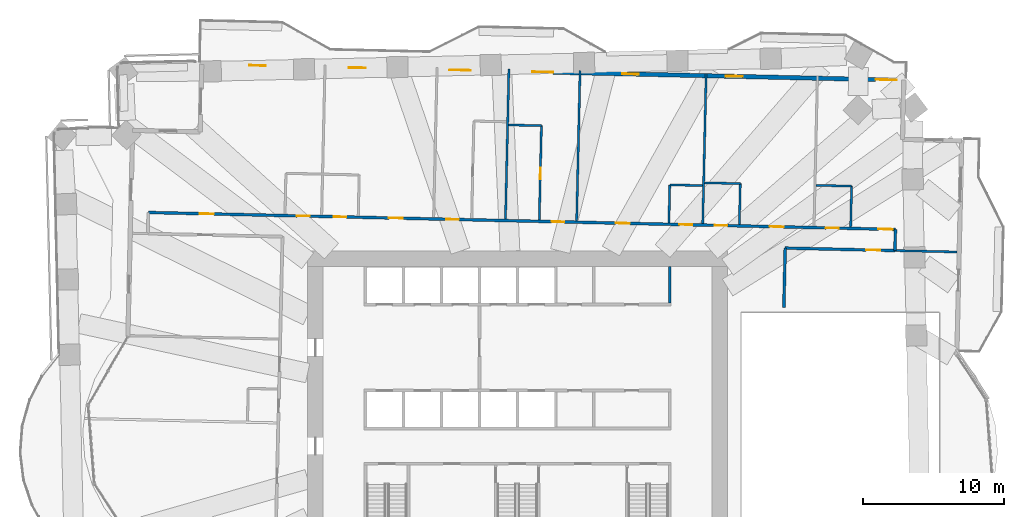
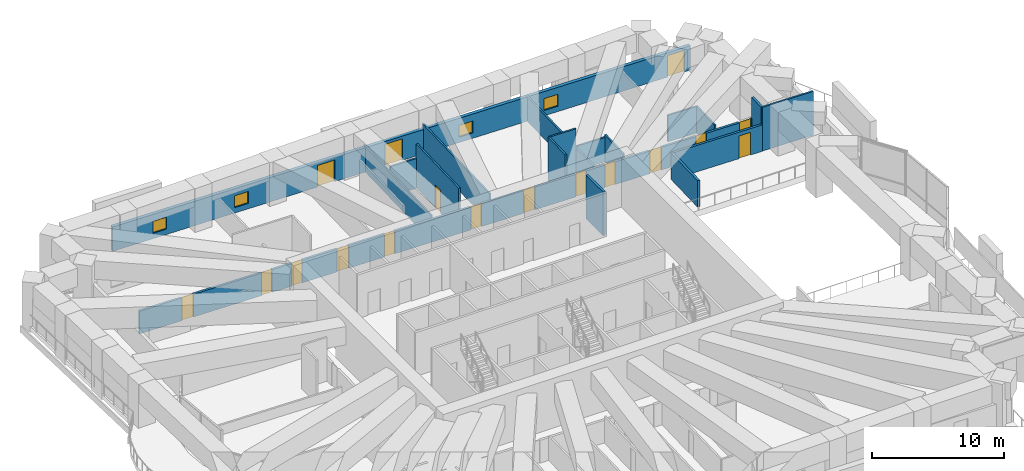
# One storey, part 13 of 20: 18 walls, 17 doors, 4 windows, 21 openings.
"""IFC4 building model written with IfcOpenShell, lengths in metres."""

from ifc_helpers import new_model, si_unit, direction, frame, frame_2d, origin, place, context, subcontext, project, spatial, rectangle, extrude, material, layer, layer_set, type_object, element, fill, save


model = new_model("IFC4")

# Units and contexts
model_context = context("Model", 3, precision=1e-05, world=origin(), true_north=direction((0.0, 1.0)))
body_context = subcontext(model_context, "Body", "Model", "MODEL_VIEW")
ifc_project = project(units=[si_unit("LENGTHUNIT", "METRE"), si_unit("AREAUNIT", "SQUARE_METRE"), si_unit("VOLUMEUNIT", "CUBIC_METRE"), si_unit("PLANEANGLEUNIT", "RADIAN"), si_unit("MASSUNIT", "GRAM", prefix="KILO")], contexts=[model_context])

# Site, building, storey
site_placement = place(None, origin())
site = spatial("IfcSite", under=ifc_project, at=site_placement, CompositionType="ELEMENT")
building_placement = place(site_placement, origin())
building = spatial("IfcBuilding", under=site, at=building_placement, Name="Mangrove Gate Tower", CompositionType="ELEMENT")
storey_placement = place(building_placement, frame((0.0, 0.0, 52.10009765625)))
storey = spatial("IfcBuildingStorey", under=building, at=storey_placement, Name="L12", CompositionType="ELEMENT", Elevation=52.10009765625)

# Walls
ifc_material_1 = material(Name="Concrete C32/40", Category="concrete")
ifc_layer_1 = layer(ifc_material_1, 0.199951171875)
ifc_layer_set_1 = layer_set([ifc_layer_1], Name="Core room wall 200 C32/40")
wall_type_1 = type_object("IfcWallType", Name="Core room wall 200 C32/40", PredefinedType="STANDARD", material=ifc_layer_set_1)
wall_1_placement = place(storey_placement, frame((10.800048828125, 8.199951171875, 0.0), z_axis=(0.0, 0.0, 1.0), x_axis=(0.0, 1.0, 0.0)))
element("IfcWall", 1, at=wall_1_placement, inside=storey, type_object=wall_type_1, Name="WALL-L12-CORE-34", PredefinedType="STANDARD", context=body_context, shape_type="SweptSolid", body=[
    extrude(rectangle(XDim=2.60009765625, YDim=0.199951171875, at=frame_2d((1.300048828125, 0.0))), origin(), (0.0, 0.0, 1.0), 4.0498046875),
])
ifc_material_2 = material(Name="Gypsum board on steel stud, EI 60", Category="steel")
ifc_layer_2 = layer(ifc_material_2, 0.199951171875)
ifc_layer_set_2 = layer_set([ifc_layer_2], Name="Corridor wall EI 60")
wall_type_2 = type_object("IfcWallType", Name="Corridor wall EI 60", PredefinedType="PARTITIONING", material=ifc_layer_set_2)
wall_2_placement = place(storey_placement, frame((18.89111328125, 7.903076171875, 0.0), z_axis=(0.0, 0.0, 1.0), x_axis=(0.022807092041, 0.999739884446, 0.0)))
element("IfcWall", 2, at=wall_2_placement, inside=storey, type_object=wall_type_2, Name="WALL-L12-037", PredefinedType="PARTITIONING", context=body_context, shape_type="SweptSolid", body=[
    extrude(rectangle(XDim=4.206787109375, YDim=0.199951171875, at=frame_2d((2.103515625, 0.0))), origin(), (0.0, 0.0, 1.0), 2.449951171875),
])

# Wall, opening, door
wall_3_placement = place(storey_placement, frame((18.985107421875, 12.10888671875, 0.0), z_axis=(0.0, 0.0, 1.0), x_axis=(0.999741689867, -0.022727814278, 0.0)))
wall_3 = element("IfcWall", 3, at=wall_3_placement, inside=storey, type_object=wall_type_2, Name="WALL-L12-041", PredefinedType="PARTITIONING", context=body_context, shape_type="SweptSolid", body=[
    extrude(rectangle(XDim=7.787841796875, YDim=0.199951171875, at=frame_2d((3.89404296875, 0.0))), origin(), (0.0, 0.0, 1.0), 2.449951171875),
])
opening_1_placement = place(wall_3_placement, frame((5.75, 0.0, 0.0)))
opening_1 = element("IfcOpeningElement", 4, at=opening_1_placement, cuts=wall_3, Name="Opening AD", PredefinedType="OPENING", context=body_context, shape_type="SweptSolid", body=[
    extrude(rectangle(XDim=1.0, YDim=2.10009765625, at=frame_2d((0.5, 1.050048828125))), frame((0.0, 0.10986328125, 0.0), z_axis=(0.0, -1.0, 0.0), x_axis=(1.0, 0.0, 0.0)), (0.0, 0.0, 1.0), 0.219970703125),
])
ifc_material_3 = material(Name="Timber door leaf", Category="wood")
door_type_1 = type_object("IfcDoorType", Name="Amenity door 1000", OperationType="SINGLE_SWING_LEFT", PredefinedType="DOOR", material=ifc_material_3)
door_1_placement = place(opening_1_placement, origin())
door_1 = element("IfcDoor", 5, at=door_1_placement, inside=storey, type_object=door_type_1, Name="DOOR-L12-LNG-c4c", OperationType="SINGLE_SWING_LEFT", OverallHeight=2.10009765625, OverallWidth=1.0, PredefinedType="DOOR", context=body_context, shape_type="SweptSolid", body=[
    extrude(rectangle(XDim=1.0, YDim=2.10009765625, at=frame_2d((0.5, 1.050048828125))), frame((0.0, 0.02490234375, 0.0), z_axis=(0.0, -1.0, 0.0), x_axis=(1.0, 0.0, 0.0)), (0.0, 0.0, 1.0), 0.050048828125),
])
fill(opening_1, door_1)

# Wall
wall_4_placement = place(storey_placement, frame((26.77490234375, 11.931884765625, 0.0), z_axis=(0.0, 0.0, 1.0), x_axis=(0.022780545013, 0.999740489712, 0.0)))
element("IfcWall", 6, at=wall_4_placement, inside=storey, type_object=wall_type_2, Name="WALL-L12-043", PredefinedType="PARTITIONING", context=body_context, shape_type="SweptSolid", body=[
    extrude(rectangle(XDim=1.50048828125, YDim=0.199951171875, at=frame_2d((0.750244140625, 0.0))), origin(), (0.0, 0.0, 1.0), 4.0498046875),
])

# Wall, openings, doors
wall_5_placement = place(storey_placement, frame((-26.2060546875, 14.635009765625, 0.0), z_axis=(0.0, 0.0, 1.0), x_axis=(0.999742550532, -0.022689924097, 0.0)))
wall_5 = element("IfcWall", 7, at=wall_5_placement, inside=storey, type_object=wall_type_2, Name="WALL-L12-044", PredefinedType="PARTITIONING", context=body_context, shape_type="SweptSolid", body=[
    extrude(rectangle(XDim=53.024658203125, YDim=0.199951171875, at=frame_2d((26.51220703125, 0.0))), origin(), (0.0, 0.0, 1.0), 2.099853515625),
])
opening_2_placement = place(wall_5_placement, frame((51.823974609375, 0.0, 0.0)))
opening_2 = element("IfcOpeningElement", 8, at=opening_2_placement, cuts=wall_5, Name="Opening AD", PredefinedType="OPENING", context=body_context, shape_type="SweptSolid", body=[
    extrude(rectangle(XDim=1.0, YDim=2.10009765625, at=frame_2d((0.5, 1.050048828125))), frame((0.0, 0.10986328125, 0.0), z_axis=(0.0, -1.0, 0.0), x_axis=(1.0, 0.0, 0.0)), (0.0, 0.0, 1.0), 0.219970703125),
])
opening_3_placement = place(wall_5_placement, frame((48.10009765625, 0.0, 0.0)))
opening_3 = element("IfcOpeningElement", 9, at=opening_3_placement, cuts=wall_5, Name="Opening SD", PredefinedType="OPENING", context=body_context, shape_type="SweptSolid", body=[
    extrude(rectangle(XDim=0.89990234375, YDim=2.10009765625, at=frame_2d((0.449951171875, 1.050048828125))), frame((0.0, 0.10986328125, 0.0), z_axis=(0.0, -1.0, 0.0), x_axis=(1.0, 0.0, 0.0)), (0.0, 0.0, 1.0), 0.219970703125),
])
opening_4_placement = place(wall_5_placement, frame((44.10009765625, 0.0, 0.0)))
opening_4 = element("IfcOpeningElement", 10, at=opening_4_placement, cuts=wall_5, Name="Opening AD", PredefinedType="OPENING", context=body_context, shape_type="SweptSolid", body=[
    extrude(rectangle(XDim=1.0, YDim=2.10009765625, at=frame_2d((0.5, 1.050048828125))), frame((0.0, 0.10986328125, 0.0), z_axis=(0.0, -1.0, 0.0), x_axis=(1.0, 0.0, 0.0)), (0.0, 0.0, 1.0), 0.219970703125),
])
opening_5_placement = place(wall_5_placement, frame((40.199951171875, 0.0, 0.0)))
opening_5 = element("IfcOpeningElement", 11, at=opening_5_placement, cuts=wall_5, Name="Opening SD", PredefinedType="OPENING", context=body_context, shape_type="SweptSolid", body=[
    extrude(rectangle(XDim=0.89990234375, YDim=2.10009765625, at=frame_2d((0.449951171875, 1.050048828125))), frame((0.0, 0.10986328125, 0.0), z_axis=(0.0, -1.0, 0.0), x_axis=(1.0, 0.0, 0.0)), (0.0, 0.0, 1.0), 0.219970703125),
])
opening_6_placement = place(wall_5_placement, frame((33.175048828125, 0.0, 0.0)))
opening_6 = element("IfcOpeningElement", 12, at=opening_6_placement, cuts=wall_5, Name="Opening AD", PredefinedType="OPENING", context=body_context, shape_type="SweptSolid", body=[
    extrude(rectangle(XDim=1.0, YDim=2.10009765625, at=frame_2d((0.5, 1.050048828125))), frame((0.0, 0.10986328125, 0.0), z_axis=(0.0, -1.0, 0.0), x_axis=(1.0, 0.0, 0.0)), (0.0, 0.0, 1.0), 0.219970703125),
])
opening_7_placement = place(wall_5_placement, frame((37.699951171875, 0.0, 0.0)))
opening_7 = element("IfcOpeningElement", 13, at=opening_7_placement, cuts=wall_5, Name="Opening SD", PredefinedType="OPENING", context=body_context, shape_type="SweptSolid", body=[
    extrude(rectangle(XDim=0.89990234375, YDim=2.10009765625, at=frame_2d((0.449951171875, 1.050048828125))), frame((0.0, 0.10986328125, 0.0), z_axis=(0.0, -1.0, 0.0), x_axis=(1.0, 0.0, 0.0)), (0.0, 0.0, 1.0), 0.219970703125),
])
opening_8_placement = place(wall_5_placement, frame((28.625, 0.0, 0.0)))
opening_8 = element("IfcOpeningElement", 14, at=opening_8_placement, cuts=wall_5, Name="Opening BD", PredefinedType="OPENING", context=body_context, shape_type="SweptSolid", body=[
    extrude(rectangle(XDim=0.89990234375, YDim=2.10009765625, at=frame_2d((0.449951171875, 1.050048828125))), frame((0.0, 0.10986328125, 0.0), z_axis=(0.0, -1.0, 0.0), x_axis=(1.0, 0.0, 0.0)), (0.0, 0.0, 1.0), 0.219970703125),
])
opening_9_placement = place(wall_5_placement, frame((21.14990234375, 0.0, 0.0)))
opening_9 = element("IfcOpeningElement", 15, at=opening_9_placement, cuts=wall_5, Name="Opening BD", PredefinedType="OPENING", context=body_context, shape_type="SweptSolid", body=[
    extrude(rectangle(XDim=0.89990234375, YDim=2.10009765625, at=frame_2d((0.449951171875, 1.050048828125))), frame((0.0, 0.10986328125, 0.0), z_axis=(0.0, -1.0, 0.0), x_axis=(1.0, 0.0, 0.0)), (0.0, 0.0, 1.0), 0.219970703125),
])
opening_10_placement = place(wall_5_placement, frame((17.074951171875, 0.0, 0.0)))
opening_10 = element("IfcOpeningElement", 16, at=opening_10_placement, cuts=wall_5, Name="Opening AD", PredefinedType="OPENING", context=body_context, shape_type="SweptSolid", body=[
    extrude(rectangle(XDim=1.0, YDim=2.10009765625, at=frame_2d((0.5, 1.050048828125))), frame((0.0, 0.10986328125, 0.0), z_axis=(0.0, -1.0, 0.0), x_axis=(1.0, 0.0, 0.0)), (0.0, 0.0, 1.0), 0.219970703125),
])
opening_11_placement = place(wall_5_placement, frame((13.14990234375, 0.0, 0.0)))
opening_11 = element("IfcOpeningElement", 17, at=opening_11_placement, cuts=wall_5, Name="Opening SD", PredefinedType="OPENING", context=body_context, shape_type="SweptSolid", body=[
    extrude(rectangle(XDim=0.89990234375, YDim=2.10009765625, at=frame_2d((0.449951171875, 1.050048828125))), frame((0.0, 0.10986328125, 0.0), z_axis=(0.0, -1.0, 0.0), x_axis=(1.0, 0.0, 0.0)), (0.0, 0.0, 1.0), 0.219970703125),
])
opening_12_placement = place(wall_5_placement, frame((3.64990234375, 0.0, 0.0)))
opening_12 = element("IfcOpeningElement", 18, at=opening_12_placement, cuts=wall_5, Name="Opening AD", PredefinedType="OPENING", context=body_context, shape_type="SweptSolid", body=[
    extrude(rectangle(XDim=1.0, YDim=2.10009765625, at=frame_2d((0.5, 1.050048828125))), frame((0.0, 0.10986328125, 0.0), z_axis=(0.0, -1.0, 0.0), x_axis=(1.0, 0.0, 0.0)), (0.0, 0.0, 1.0), 0.219970703125),
])
opening_13_placement = place(wall_5_placement, frame((10.550048828125, 0.0, 0.0)))
opening_13 = element("IfcOpeningElement", 19, at=opening_13_placement, cuts=wall_5, Name="Opening SD", PredefinedType="OPENING", context=body_context, shape_type="SweptSolid", body=[
    extrude(rectangle(XDim=0.89990234375, YDim=2.10009765625, at=frame_2d((0.449951171875, 1.050048828125))), frame((0.0, 0.10986328125, 0.0), z_axis=(0.0, -1.0, 0.0), x_axis=(1.0, 0.0, 0.0)), (0.0, 0.0, 1.0), 0.219970703125),
])
door_2_placement = place(opening_2_placement, origin())
door_2 = element("IfcDoor", 20, at=door_2_placement, inside=storey, type_object=door_type_1, Name="DOOR-L12-KIT-c4b", OperationType="SINGLE_SWING_RIGHT", OverallHeight=2.10009765625, OverallWidth=1.0, PredefinedType="DOOR", context=body_context, shape_type="SweptSolid", body=[
    extrude(rectangle(XDim=1.0, YDim=2.10009765625, at=frame_2d((0.5, 1.050048828125))), frame((0.0, 0.02490234375, 0.0), z_axis=(0.0, -1.0, 0.0), x_axis=(1.0, 0.0, 0.0)), (0.0, 0.0, 1.0), 0.050048828125),
])
fill(opening_2, door_2)
door_3_placement = place(opening_4_placement, origin())
door_3 = element("IfcDoor", 21, at=door_3_placement, inside=storey, type_object=door_type_1, Name="DOOR-L12-GAM-c4b", OperationType="SINGLE_SWING_LEFT", OverallHeight=2.10009765625, OverallWidth=1.0, PredefinedType="DOOR", context=body_context, shape_type="SweptSolid", body=[
    extrude(rectangle(XDim=1.0, YDim=2.10009765625, at=frame_2d((0.5, 1.050048828125))), frame((0.0, 0.02490234375, 0.0), z_axis=(0.0, -1.0, 0.0), x_axis=(1.0, 0.0, 0.0)), (0.0, 0.0, 1.0), 0.050048828125),
])
fill(opening_4, door_3)
door_4_placement = place(opening_6_placement, origin())
door_4 = element("IfcDoor", 22, at=door_4_placement, inside=storey, type_object=door_type_1, Name="DOOR-L12-LNG-c4d", OperationType="SINGLE_SWING_RIGHT", OverallHeight=2.10009765625, OverallWidth=1.0, PredefinedType="DOOR", context=body_context, shape_type="SweptSolid", body=[
    extrude(rectangle(XDim=1.0, YDim=2.10009765625, at=frame_2d((0.5, 1.050048828125))), frame((0.0, 0.02490234375, 0.0), z_axis=(0.0, -1.0, 0.0), x_axis=(1.0, 0.0, 0.0)), (0.0, 0.0, 1.0), 0.050048828125),
])
fill(opening_6, door_4)
door_5_placement = place(opening_10_placement, origin())
door_5 = element("IfcDoor", 23, at=door_5_placement, inside=storey, type_object=door_type_1, Name="DOOR-L12-GAM-c5a", OperationType="SINGLE_SWING_LEFT", OverallHeight=2.10009765625, OverallWidth=1.0, PredefinedType="DOOR", context=body_context, shape_type="SweptSolid", body=[
    extrude(rectangle(XDim=1.0, YDim=2.10009765625, at=frame_2d((0.5, 1.050048828125))), frame((0.0, 0.02490234375, 0.0), z_axis=(0.0, -1.0, 0.0), x_axis=(1.0, 0.0, 0.0)), (0.0, 0.0, 1.0), 0.050048828125),
])
fill(opening_10, door_5)
door_6_placement = place(opening_12_placement, origin())
door_6 = element("IfcDoor", 24, at=door_6_placement, inside=storey, type_object=door_type_1, Name="DOOR-L12-LNG-c5a", OperationType="SINGLE_SWING_RIGHT", OverallHeight=2.10009765625, OverallWidth=1.0, PredefinedType="DOOR", context=body_context, shape_type="SweptSolid", body=[
    extrude(rectangle(XDim=1.0, YDim=2.10009765625, at=frame_2d((0.5, 1.050048828125))), frame((0.0, 0.02490234375, 0.0), z_axis=(0.0, -1.0, 0.0), x_axis=(1.0, 0.0, 0.0)), (0.0, 0.0, 1.0), 0.050048828125),
])
fill(opening_12, door_6)
ifc_material_4 = material(Name="Timber door leaf", Category="wood")
door_type_2 = type_object("IfcDoorType", Name="Bedroom door 900", OperationType="SINGLE_SWING_LEFT", PredefinedType="DOOR", material=ifc_material_4)
door_7_placement = place(opening_8_placement, origin())
door_7 = element("IfcDoor", 25, at=door_7_placement, inside=storey, type_object=door_type_2, Name="DOOR-L12-BED-c404", OperationType="SINGLE_SWING_RIGHT", OverallHeight=2.10009765625, OverallWidth=0.89990234375, PredefinedType="DOOR", context=body_context, shape_type="SweptSolid", body=[
    extrude(rectangle(XDim=0.89990234375, YDim=2.10009765625, at=frame_2d((0.449951171875, 1.050048828125))), frame((0.0, 0.02490234375, 0.0), z_axis=(0.0, -1.0, 0.0), x_axis=(1.0, 0.0, 0.0)), (0.0, 0.0, 1.0), 0.050048828125),
])
fill(opening_8, door_7)
door_8_placement = place(opening_9_placement, origin())
door_8 = element("IfcDoor", 26, at=door_8_placement, inside=storey, type_object=door_type_2, Name="DOOR-L12-BED-c505", OperationType="SINGLE_SWING_LEFT", OverallHeight=2.10009765625, OverallWidth=0.89990234375, PredefinedType="DOOR", context=body_context, shape_type="SweptSolid", body=[
    extrude(rectangle(XDim=0.89990234375, YDim=2.10009765625, at=frame_2d((0.449951171875, 1.050048828125))), frame((0.0, 0.02490234375, 0.0), z_axis=(0.0, -1.0, 0.0), x_axis=(1.0, 0.0, 0.0)), (0.0, 0.0, 1.0), 0.050048828125),
])
fill(opening_9, door_8)
ifc_material_5 = material(Name="Timber door leaf", Category="wood")
door_type_3 = type_object("IfcDoorType", Name="Service room door 900", OperationType="SINGLE_SWING_LEFT", PredefinedType="DOOR", material=ifc_material_5)
door_9_placement = place(opening_3_placement, origin())
door_9 = element("IfcDoor", 27, at=door_9_placement, inside=storey, type_object=door_type_3, Name="DOOR-L12-AWC-c4b", OperationType="SINGLE_SWING_LEFT", OverallHeight=2.10009765625, OverallWidth=0.89990234375, PredefinedType="DOOR", context=body_context, shape_type="SweptSolid", body=[
    extrude(rectangle(XDim=0.89990234375, YDim=2.10009765625, at=frame_2d((0.449951171875, 1.050048828125))), frame((0.0, 0.02490234375, 0.0), z_axis=(0.0, -1.0, 0.0), x_axis=(1.0, 0.0, 0.0)), (0.0, 0.0, 1.0), 0.050048828125),
])
fill(opening_3, door_9)
door_10_placement = place(opening_5_placement, origin())
door_10 = element("IfcDoor", 28, at=door_10_placement, inside=storey, type_object=door_type_3, Name="DOOR-L12-AWC-c4c", OperationType="SINGLE_SWING_RIGHT", OverallHeight=2.10009765625, OverallWidth=0.89990234375, PredefinedType="DOOR", context=body_context, shape_type="SweptSolid", body=[
    extrude(rectangle(XDim=0.89990234375, YDim=2.10009765625, at=frame_2d((0.449951171875, 1.050048828125))), frame((0.0, 0.02490234375, 0.0), z_axis=(0.0, -1.0, 0.0), x_axis=(1.0, 0.0, 0.0)), (0.0, 0.0, 1.0), 0.050048828125),
])
fill(opening_5, door_10)
door_11_placement = place(opening_7_placement, origin())
door_11 = element("IfcDoor", 29, at=door_11_placement, inside=storey, type_object=door_type_3, Name="DOOR-L12-WC-c4c", OperationType="SINGLE_SWING_LEFT", OverallHeight=2.10009765625, OverallWidth=0.89990234375, PredefinedType="DOOR", context=body_context, shape_type="SweptSolid", body=[
    extrude(rectangle(XDim=0.89990234375, YDim=2.10009765625, at=frame_2d((0.449951171875, 1.050048828125))), frame((0.0, 0.02490234375, 0.0), z_axis=(0.0, -1.0, 0.0), x_axis=(1.0, 0.0, 0.0)), (0.0, 0.0, 1.0), 0.050048828125),
])
fill(opening_7, door_11)
door_12_placement = place(opening_11_placement, origin())
door_12 = element("IfcDoor", 30, at=door_12_placement, inside=storey, type_object=door_type_3, Name="DOOR-L12-AWC-c5a", OperationType="SINGLE_SWING_RIGHT", OverallHeight=2.10009765625, OverallWidth=0.89990234375, PredefinedType="DOOR", context=body_context, shape_type="SweptSolid", body=[
    extrude(rectangle(XDim=0.89990234375, YDim=2.10009765625, at=frame_2d((0.449951171875, 1.050048828125))), frame((0.0, 0.02490234375, 0.0), z_axis=(0.0, -1.0, 0.0), x_axis=(1.0, 0.0, 0.0)), (0.0, 0.0, 1.0), 0.050048828125),
])
fill(opening_11, door_12)
door_13_placement = place(opening_13_placement, origin())
door_13 = element("IfcDoor", 31, at=door_13_placement, inside=storey, type_object=door_type_3, Name="DOOR-L12-AWC-c5b", OperationType="SINGLE_SWING_LEFT", OverallHeight=2.10009765625, OverallWidth=0.89990234375, PredefinedType="DOOR", context=body_context, shape_type="SweptSolid", body=[
    extrude(rectangle(XDim=0.89990234375, YDim=2.10009765625, at=frame_2d((0.449951171875, 1.050048828125))), frame((0.0, 0.02490234375, 0.0), z_axis=(0.0, -1.0, 0.0), x_axis=(1.0, 0.0, 0.0)), (0.0, 0.0, 1.0), 0.050048828125),
])
fill(opening_13, door_13)

# Wall, openings, doors, windows
ifc_material_6 = material(Name="Limestone", Category="masonry")
ifc_layer_3 = layer(ifc_material_6, 0.0400390625, Name="Limestone cladding")
ifc_material_7 = material(Name="Ventilated air gap")
ifc_layer_4 = layer(ifc_material_7, 0.0400390625, Name="Ventilated cavity")
ifc_material_8 = material(Name="Mineral wool insulation")
ifc_layer_5 = layer(ifc_material_8, 0.06005859375, Name="Insulation")
ifc_material_9 = material(Name="Breather membrane")
ifc_layer_6 = layer(ifc_material_9, 0.001953125, Name="Breather membrane")
ifc_material_10 = material(Name="Concrete C20/25 blockwork", Category="masonry")
ifc_layer_7 = layer(ifc_material_10, 0.14990234375, Name="Blockwork backing wall")
ifc_material_11 = material(Name="Gypsum plaster")
ifc_layer_8 = layer(ifc_material_11, 0.008056640625, Name="Internal plaster")
ifc_layer_set_3 = layer_set([ifc_layer_3, ifc_layer_4, ifc_layer_5, ifc_layer_6, ifc_layer_7, ifc_layer_8], Name="External wall 300 limestone cladding")
wall_type_3 = type_object("IfcWallType", Name="External wall 300 limestone cladding", PredefinedType="SOLIDWALL", material=ifc_layer_set_3)
wall_6_placement = place(storey_placement, frame((27.406982421875, 24.02099609375, 0.0), z_axis=(0.0, 0.0, 1.0), x_axis=(-0.999742614779, 0.02268709312, 0.0)))
wall_6 = element("IfcWall", 32, at=wall_6_placement, inside=storey, type_object=wall_type_3, Name="WALL-L12-N5s1", PredefinedType="SOLIDWALL", context=body_context, shape_type="SweptSolid", body=[
    extrude(rectangle(XDim=49.94287109375, YDim=0.300048828125, at=frame_2d((24.971435546875, 0.0))), origin(), (0.0, 0.0, 1.0), 2.25),
])
opening_14_placement = place(wall_6_placement, frame((0.506103515625, 0.0, 0.0)))
opening_14 = element("IfcOpeningElement", 33, at=opening_14_placement, cuts=wall_6, Name="Opening BD3", PredefinedType="OPENING", context=body_context, shape_type="SweptSolid", body=[
    extrude(rectangle(XDim=1.5, YDim=2.0, at=frame_2d((0.75, 1.0))), frame((0.0, 0.159912109375, 0.0), z_axis=(0.0, -1.0, 0.0), x_axis=(1.0, 0.0, 0.0)), (0.0, 0.0, 1.0), 0.320068359375),
])
opening_15_placement = place(wall_6_placement, frame((11.447998046875, 0.0, 0.5)))
opening_15 = element("IfcOpeningElement", 34, at=opening_15_placement, cuts=wall_6, Name="Opening W6", PredefinedType="OPENING", context=body_context, shape_type="SweptSolid", body=[
    extrude(rectangle(XDim=1.199951171875, YDim=1.10009765625, at=frame_2d((0.60009765625, 0.550048828125))), frame((0.0, 0.159912109375, 0.0), z_axis=(0.0, -1.0, 0.0), x_axis=(1.0, 0.0, 0.0)), (0.0, 0.0, 1.0), 0.320068359375),
])
opening_16_placement = place(wall_6_placement, frame((18.803955078125, 0.0, 0.5)))
opening_16 = element("IfcOpeningElement", 35, at=opening_16_placement, cuts=wall_6, Name="Opening W6", PredefinedType="OPENING", context=body_context, shape_type="SweptSolid", body=[
    extrude(rectangle(XDim=1.199951171875, YDim=1.10009765625, at=frame_2d((0.60009765625, 0.550048828125))), frame((0.0, 0.159912109375, 0.0), z_axis=(0.0, -1.0, 0.0), x_axis=(1.0, 0.0, 0.0)), (0.0, 0.0, 1.0), 0.320068359375),
])
opening_17_placement = place(wall_6_placement, frame((24.89111328125, 0.0, 0.0)))
opening_17 = element("IfcOpeningElement", 36, at=opening_17_placement, cuts=wall_6, Name="Opening BD3", PredefinedType="OPENING", context=body_context, shape_type="SweptSolid", body=[
    extrude(rectangle(XDim=1.5, YDim=2.0, at=frame_2d((0.75, 1.0))), frame((0.0, 0.159912109375, 0.0), z_axis=(0.0, -1.0, 0.0), x_axis=(1.0, 0.0, 0.0)), (0.0, 0.0, 1.0), 0.320068359375),
])
opening_18_placement = place(wall_6_placement, frame((30.75, 0.0, 0.0)))
opening_18 = element("IfcOpeningElement", 37, at=opening_18_placement, cuts=wall_6, Name="Opening BD3", PredefinedType="OPENING", context=body_context, shape_type="SweptSolid", body=[
    extrude(rectangle(XDim=1.5, YDim=2.0, at=frame_2d((0.75, 1.0))), frame((0.0, 0.159912109375, 0.0), z_axis=(0.0, -1.0, 0.0), x_axis=(1.0, 0.0, 0.0)), (0.0, 0.0, 1.0), 0.320068359375),
])
opening_19_placement = place(wall_6_placement, frame((38.208984375, 0.0, 0.5)))
opening_19 = element("IfcOpeningElement", 38, at=opening_19_placement, cuts=wall_6, Name="Opening W6", PredefinedType="OPENING", context=body_context, shape_type="SweptSolid", body=[
    extrude(rectangle(XDim=1.199951171875, YDim=1.10009765625, at=frame_2d((0.60009765625, 0.550048828125))), frame((0.0, 0.159912109375, 0.0), z_axis=(0.0, -1.0, 0.0), x_axis=(1.0, 0.0, 0.0)), (0.0, 0.0, 1.0), 0.320068359375),
])
opening_20_placement = place(wall_6_placement, frame((45.277099609375, 0.0, 0.5)))
opening_20 = element("IfcOpeningElement", 39, at=opening_20_placement, cuts=wall_6, Name="Opening W6", PredefinedType="OPENING", context=body_context, shape_type="SweptSolid", body=[
    extrude(rectangle(XDim=1.199951171875, YDim=1.10009765625, at=frame_2d((0.60009765625, 0.550048828125))), frame((0.0, 0.159912109375, 0.0), z_axis=(0.0, -1.0, 0.0), x_axis=(1.0, 0.0, 0.0)), (0.0, 0.0, 1.0), 0.320068359375),
])
ifc_material_12 = material(Name="Aluminium frame with laminated clear glass", Category="aluminium")
door_type_4 = type_object("IfcDoorType", Name="Balcony sliding door 1500x2000", OperationType="SLIDING_TO_LEFT", PredefinedType="DOOR", material=ifc_material_12)
door_14_placement = place(opening_14_placement, origin())
door_14 = element("IfcDoor", 40, at=door_14_placement, inside=storey, type_object=door_type_4, Name="DOOR-L12-N5-1", OperationType="SLIDING_TO_LEFT", OverallHeight=2.0, OverallWidth=1.5, PredefinedType="DOOR", context=body_context, shape_type="SweptSolid", body=[
    extrude(rectangle(XDim=1.5, YDim=2.0, at=frame_2d((0.75, 1.0))), frame((0.0, 0.02490234375, 0.0), z_axis=(0.0, -1.0, 0.0), x_axis=(1.0, 0.0, 0.0)), (0.0, 0.0, 1.0), 0.050048828125),
])
fill(opening_14, door_14)
door_15_placement = place(opening_17_placement, origin())
door_15 = element("IfcDoor", 41, at=door_15_placement, inside=storey, type_object=door_type_4, Name="DOOR-L12-N5-4", OperationType="SLIDING_TO_LEFT", OverallHeight=2.0, OverallWidth=1.5, PredefinedType="DOOR", context=body_context, shape_type="SweptSolid", body=[
    extrude(rectangle(XDim=1.5, YDim=2.0, at=frame_2d((0.75, 1.0))), frame((0.0, 0.02490234375, 0.0), z_axis=(0.0, -1.0, 0.0), x_axis=(1.0, 0.0, 0.0)), (0.0, 0.0, 1.0), 0.050048828125),
])
fill(opening_17, door_15)
door_16_placement = place(opening_18_placement, origin())
door_16 = element("IfcDoor", 42, at=door_16_placement, inside=storey, type_object=door_type_4, Name="DOOR-L12-N5-5", OperationType="SLIDING_TO_LEFT", OverallHeight=2.0, OverallWidth=1.5, PredefinedType="DOOR", context=body_context, shape_type="SweptSolid", body=[
    extrude(rectangle(XDim=1.5, YDim=2.0, at=frame_2d((0.75, 1.0))), frame((0.0, 0.02490234375, 0.0), z_axis=(0.0, -1.0, 0.0), x_axis=(1.0, 0.0, 0.0)), (0.0, 0.0, 1.0), 0.050048828125),
])
fill(opening_18, door_16)
ifc_material_13 = material(Name="Aluminium frame with double-glazed low-e glass", Category="aluminium")
window_type = type_object("IfcWindowType", Name="Low window 1200x1100", PartitioningType="SINGLE_PANEL", PredefinedType="WINDOW", material=ifc_material_13)
window_1_placement = place(opening_15_placement, origin())
window_1 = element("IfcWindow", 43, at=window_1_placement, inside=storey, type_object=window_type, Name="WIN-L12-N5-2", OverallHeight=1.10009765625, OverallWidth=1.199951171875, PartitioningType="SINGLE_PANEL", PredefinedType="WINDOW", context=body_context, shape_type="SweptSolid", body=[
    extrude(rectangle(XDim=1.199951171875, YDim=1.10009765625, at=frame_2d((0.60009765625, 0.550048828125))), frame((0.0, 0.030029296875, 0.0), z_axis=(0.0, -1.0, 0.0), x_axis=(1.0, 0.0, 0.0)), (0.0, 0.0, 1.0), 0.06005859375),
])
fill(opening_15, window_1)
window_2_placement = place(opening_16_placement, origin())
window_2 = element("IfcWindow", 44, at=window_2_placement, inside=storey, type_object=window_type, Name="WIN-L12-N5-3", OverallHeight=1.10009765625, OverallWidth=1.199951171875, PartitioningType="SINGLE_PANEL", PredefinedType="WINDOW", context=body_context, shape_type="SweptSolid", body=[
    extrude(rectangle(XDim=1.199951171875, YDim=1.10009765625, at=frame_2d((0.60009765625, 0.550048828125))), frame((0.0, 0.030029296875, 0.0), z_axis=(0.0, -1.0, 0.0), x_axis=(1.0, 0.0, 0.0)), (0.0, 0.0, 1.0), 0.06005859375),
])
fill(opening_16, window_2)
window_3_placement = place(opening_19_placement, origin())
window_3 = element("IfcWindow", 45, at=window_3_placement, inside=storey, type_object=window_type, Name="WIN-L12-N5-6", OverallHeight=1.10009765625, OverallWidth=1.199951171875, PartitioningType="SINGLE_PANEL", PredefinedType="WINDOW", context=body_context, shape_type="SweptSolid", body=[
    extrude(rectangle(XDim=1.199951171875, YDim=1.10009765625, at=frame_2d((0.60009765625, 0.550048828125))), frame((0.0, 0.030029296875, 0.0), z_axis=(0.0, -1.0, 0.0), x_axis=(1.0, 0.0, 0.0)), (0.0, 0.0, 1.0), 0.06005859375),
])
fill(opening_19, window_3)
window_4_placement = place(opening_20_placement, origin())
window_4 = element("IfcWindow", 46, at=window_4_placement, inside=storey, type_object=window_type, Name="WIN-L12-N5-7", OverallHeight=1.10009765625, OverallWidth=1.199951171875, PartitioningType="SINGLE_PANEL", PredefinedType="WINDOW", context=body_context, shape_type="SweptSolid", body=[
    extrude(rectangle(XDim=1.199951171875, YDim=1.10009765625, at=frame_2d((0.60009765625, 0.550048828125))), frame((0.0, 0.030029296875, 0.0), z_axis=(0.0, -1.0, 0.0), x_axis=(1.0, 0.0, 0.0)), (0.0, 0.0, 1.0), 0.06005859375),
])
fill(opening_20, window_4)

# Walls
ifc_material_14 = material(Name="Gypsum board on steel stud, EI 60", Category="steel")
ifc_layer_9 = layer(ifc_material_14, 0.14990234375)
ifc_layer_set_4 = layer_set([ifc_layer_9], Name="Party wall 150 EI 60")
wall_type_4 = type_object("IfcWallType", Name="Party wall 150 EI 60", PredefinedType="PARTITIONING", material=ifc_layer_set_4)
wall_7_placement = place(storey_placement, frame((26.77099609375, 11.931884765625, 0.0), z_axis=(0.0, 0.0, 1.0), x_axis=(0.999743859858, -0.022632160219, 0.0)))
element("IfcWall", 47, at=wall_7_placement, inside=storey, type_object=wall_type_4, Name="WALL-L12-042", PredefinedType="PARTITIONING", context=body_context, shape_type="SweptSolid", body=[
    extrude(rectangle(XDim=4.412109375, YDim=0.14990234375, at=frame_2d((2.2060546875, 0.0))), origin(), (0.0, 0.0, 1.0), 4.0498046875),
])
wall_8_placement = place(storey_placement, frame((-0.862060546875, 14.159912109375, 0.0), z_axis=(0.0, 0.0, 1.0), x_axis=(0.022718280885, 0.999741906551, 0.0)))
element("IfcWall", 48, at=wall_8_placement, inside=storey, type_object=wall_type_4, Name="WALL-L12-050", PredefinedType="PARTITIONING", context=body_context, shape_type="SweptSolid", body=[
    extrude(rectangle(XDim=10.649658203125, YDim=0.14990234375, at=frame_2d((5.32470703125, 0.0))), origin(), (0.0, 0.0, 1.0), 2.349853515625),
])

# Wall, opening, door
wall_9_placement = place(storey_placement, frame((1.537109375, 14.10498046875, 0.0), z_axis=(0.0, 0.0, 1.0), x_axis=(0.022696538909, 0.999742400382, 0.0)))
wall_9 = element("IfcWall", 49, at=wall_9_placement, inside=storey, type_object=wall_type_4, Name="WALL-L12-051", PredefinedType="PARTITIONING", context=body_context, shape_type="SweptSolid", body=[
    extrude(rectangle(XDim=6.690673828125, YDim=0.14990234375, at=frame_2d((3.34521484375, 0.0))), origin(), (0.0, 0.0, 1.0), 4.0498046875),
])
opening_21_placement = place(wall_9_placement, frame((2.89501953125, 0.0, 0.0)))
opening_21 = element("IfcOpeningElement", 50, at=opening_21_placement, cuts=wall_9, Name="Opening ED", PredefinedType="OPENING", context=body_context, shape_type="SweptSolid", body=[
    extrude(rectangle(XDim=0.800048828125, YDim=2.10009765625, at=frame_2d((0.39990234375, 1.050048828125))), frame((0.0, 0.0849609375, 0.0), z_axis=(0.0, -1.0, 0.0), x_axis=(1.0, 0.0, 0.0)), (0.0, 0.0, 1.0), 0.169921875),
])
ifc_material_15 = material(Name="Timber door leaf", Category="wood")
door_type_5 = type_object("IfcDoorType", Name="En-suite door 800", OperationType="SINGLE_SWING_LEFT", PredefinedType="DOOR", material=ifc_material_15)
door_17_placement = place(opening_21_placement, origin())
door_17 = element("IfcDoor", 51, at=door_17_placement, inside=storey, type_object=door_type_5, Name="DOOR-L12-ENS-c404", OperationType="SINGLE_SWING_RIGHT", OverallHeight=2.10009765625, OverallWidth=0.800048828125, PredefinedType="DOOR", context=body_context, shape_type="SweptSolid", body=[
    extrude(rectangle(XDim=0.800048828125, YDim=2.10009765625, at=frame_2d((0.39990234375, 1.050048828125))), frame((0.0, 0.02490234375, 0.0), z_axis=(0.0, -1.0, 0.0), x_axis=(1.0, 0.0, 0.0)), (0.0, 0.0, 1.0), 0.050048828125),
])
fill(opening_21, door_17)

# Walls
wall_10_placement = place(storey_placement, frame((4.18701171875, 14.044921875, 0.0), z_axis=(0.0, 0.0, 1.0), x_axis=(0.02262403694, 0.999744043719, 0.0)))
element("IfcWall", 52, at=wall_10_placement, inside=storey, type_object=wall_type_4, Name="WALL-L12-052", PredefinedType="PARTITIONING", context=body_context, shape_type="SweptSolid", body=[
    extrude(rectangle(XDim=10.65087890625, YDim=0.14990234375, at=frame_2d((5.325439453125, 0.0))), origin(), (0.0, 0.0, 1.0), 2.64990234375),
])
wall_11_placement = place(storey_placement, frame((10.735107421875, 13.89697265625, 0.0), z_axis=(0.0, 0.0, 1.0), x_axis=(0.022518033722, 0.999746436932, 0.0)))
element("IfcWall", 53, at=wall_11_placement, inside=storey, type_object=wall_type_4, Name="WALL-L12-053", PredefinedType="PARTITIONING", context=body_context, shape_type="SweptSolid", body=[
    extrude(rectangle(XDim=2.69970703125, YDim=0.14990234375, at=frame_2d((1.349853515625, 0.0))), origin(), (0.0, 0.0, 1.0), 4.0498046875),
])
wall_12_placement = place(storey_placement, frame((13.134033203125, 13.842041015625, 0.0), z_axis=(0.0, 0.0, 1.0), x_axis=(0.022716198383, 0.999741953872, 0.0)))
element("IfcWall", 54, at=wall_12_placement, inside=storey, type_object=wall_type_4, Name="WALL-L12-054", PredefinedType="PARTITIONING", context=body_context, shape_type="SweptSolid", body=[
    extrude(rectangle(XDim=10.650634765625, YDim=0.14990234375, at=frame_2d((5.3251953125, 0.0))), origin(), (0.0, 0.0, 1.0), 2.25),
])
wall_13_placement = place(storey_placement, frame((15.73388671875, 13.782958984375, 0.0), z_axis=(0.0, 0.0, 1.0), x_axis=(0.022807433839, 0.999739876649, 0.0)))
element("IfcWall", 55, at=wall_13_placement, inside=storey, type_object=wall_type_4, Name="WALL-L12-055", PredefinedType="PARTITIONING", context=body_context, shape_type="SweptSolid", body=[
    extrude(rectangle(XDim=2.90087890625, YDim=0.14990234375, at=frame_2d((1.450439453125, 0.0))), origin(), (0.0, 0.0, 1.0), 2.449951171875),
])
wall_14_placement = place(storey_placement, frame((23.632080078125, 13.60400390625, 0.0), z_axis=(0.0, 0.0, 1.0), x_axis=(0.022732880677, 0.999741574676, 0.0)))
element("IfcWall", 56, at=wall_14_placement, inside=storey, type_object=wall_type_4, Name="WALL-L12-057", PredefinedType="PARTITIONING", context=body_context, shape_type="SweptSolid", body=[
    extrude(rectangle(XDim=2.899658203125, YDim=0.14990234375, at=frame_2d((1.44970703125, 0.0))), origin(), (0.0, 0.0, 1.0), 2.449951171875),
])
wall_15_placement = place(storey_placement, frame((10.798095703125, 16.595947265625, 0.0), z_axis=(0.0, 0.0, 1.0), x_axis=(0.999740478815, -0.022781023197, 0.0)))
element("IfcWall", 57, at=wall_15_placement, inside=storey, type_object=wall_type_4, Name="WALL-L12-058", PredefinedType="PARTITIONING", context=body_context, shape_type="SweptSolid", body=[
    extrude(rectangle(XDim=2.325439453125, YDim=0.14990234375, at=frame_2d((1.16259765625, 0.0))), origin(), (0.0, 0.0, 1.0), 4.0498046875),
])
wall_16_placement = place(storey_placement, frame((13.277099609375, 16.739990234375, 0.0), z_axis=(0.0, 0.0, 1.0), x_axis=(0.999746307581, -0.022523775833, 0.0)))
element("IfcWall", 58, at=wall_16_placement, inside=storey, type_object=wall_type_4, Name="WALL-L12-060", PredefinedType="PARTITIONING", context=body_context, shape_type="SweptSolid", body=[
    extrude(rectangle(XDim=2.525634765625, YDim=0.14990234375, at=frame_2d((1.2626953125, 0.0))), origin(), (0.0, 0.0, 1.0), 2.25),
])
wall_17_placement = place(storey_placement, frame((21.175048828125, 16.56103515625, 0.0), z_axis=(0.0, 0.0, 1.0), x_axis=(0.999735307039, -0.023006865507, 0.0)))
element("IfcWall", 59, at=wall_17_placement, inside=storey, type_object=wall_type_4, Name="WALL-L12-061", PredefinedType="PARTITIONING", context=body_context, shape_type="SweptSolid", body=[
    extrude(rectangle(XDim=2.525634765625, YDim=0.14990234375, at=frame_2d((1.2626953125, 0.0))), origin(), (0.0, 0.0, 1.0), 2.449951171875),
])
wall_18_placement = place(storey_placement, frame((-0.633056640625, 20.845947265625, 0.0), z_axis=(0.0, 0.0, 1.0), x_axis=(0.999749744571, -0.022370700241, 0.0)))
element("IfcWall", 60, at=wall_18_placement, inside=storey, type_object=wall_type_4, Name="WALL-L12-062", PredefinedType="PARTITIONING", context=body_context, shape_type="SweptSolid", body=[
    extrude(rectangle(XDim=2.324462890625, YDim=0.14990234375, at=frame_2d((1.162109375, 0.0))), origin(), (0.0, 0.0, 1.0), 2.75),
])

save(model, "model.ifc")
